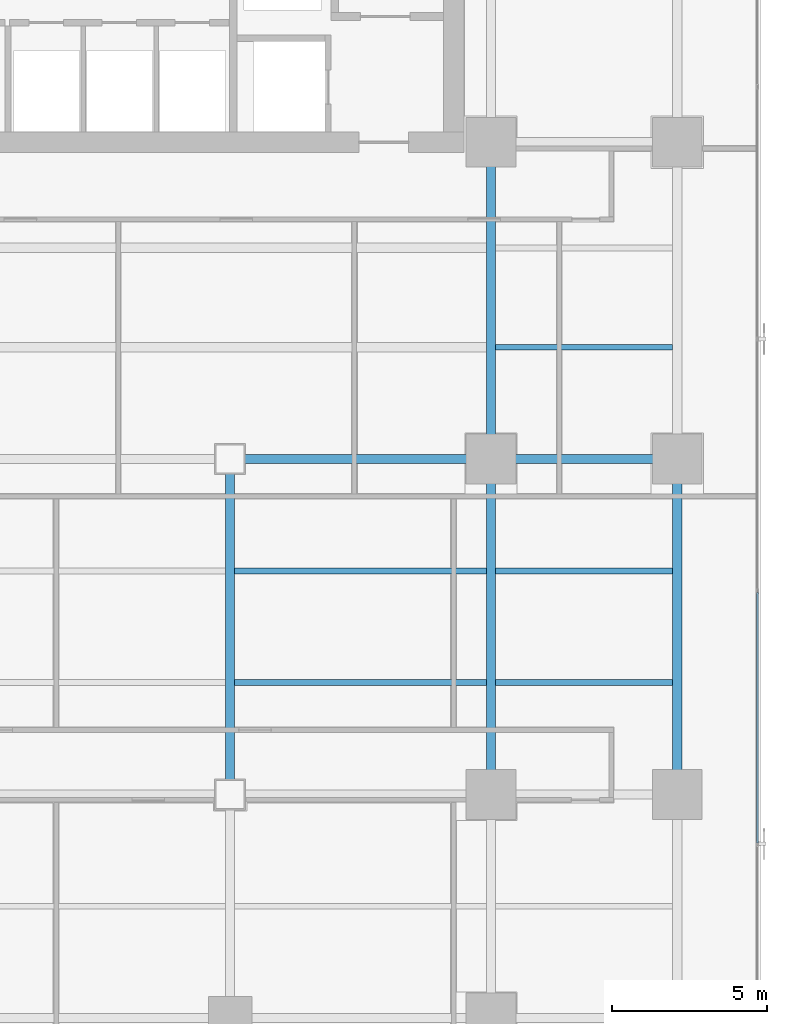
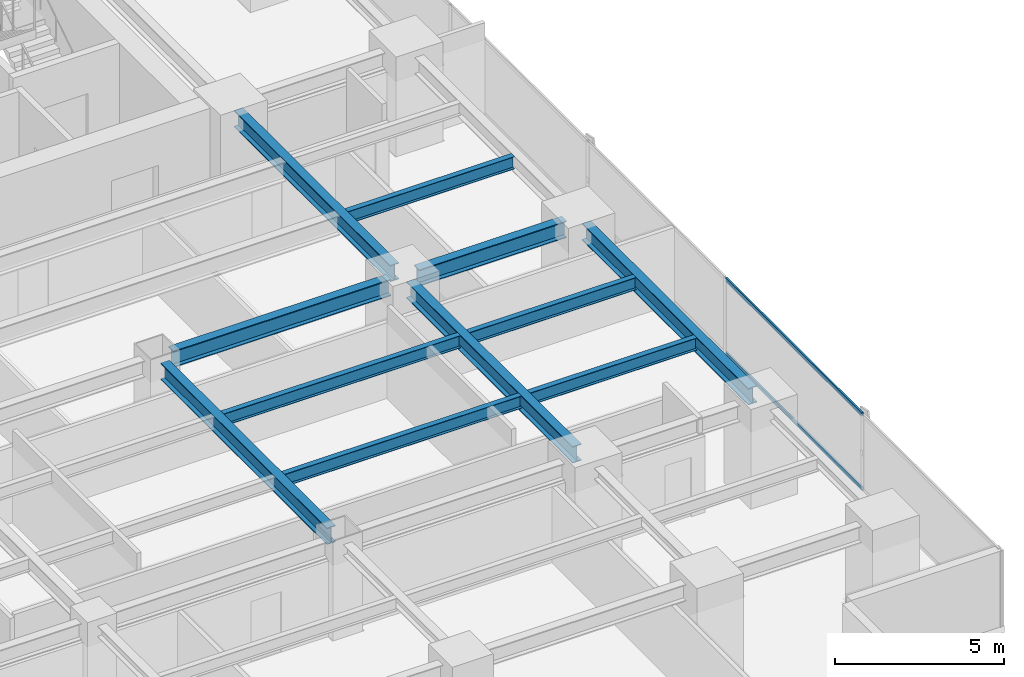
# One storey, part 15 of 36: 11 beams, 2 members, 1 element without a shape of its own.
"""IFC4 building model written with IfcOpenShell, lengths in metres."""

import ifcopenshell
import ifcopenshell.guid

model = None  # the IFC model being written
_history = None  # IfcOwnerHistory: only IFC2X3 demands one
_inside = {}  # id of a spatial element -> (the spatial element, [elements in it])
_under = {}  # id of a project, library or spatial element -> (it, [spatial elements below it])
_declared = {}  # id of a project -> (the project, [libraries it declares])
_typed = {}  # id of a type object -> (the type object, [elements of that type])
_made_of = {}  # id of a material, layer set ... -> (it, [elements and type objects made of it])


def new_model(schema):
    """Start an empty IFC model of exactly this schema.

    Asked for "IFC4X3", IfcOpenShell would pick the latest addendum, in which some entities
    have other attributes; the version numbers below select the first issue.
    IFC2X3 requires an IfcOwnerHistory on every rooted entity: one is made here for all.
    """
    global model, _history
    if schema == "IFC4X3":
        model = ifcopenshell.file(schema_version=(4, 3, 0, 0))
    else:
        model = ifcopenshell.file(schema=schema)
    _inside.clear()
    _under.clear()
    _declared.clear()
    _typed.clear()
    _made_of.clear()
    _history = None
    if model.schema == "IFC2X3":
        org = make("IfcOrganization", Name="unknown")
        user = make(
            "IfcPersonAndOrganization",
            ThePerson=make("IfcPerson", FamilyName="unknown"),
            TheOrganization=org,
        )
        app = make(
            "IfcApplication",
            ApplicationDeveloper=org,
            Version="unknown",
            ApplicationFullName="unknown",
            ApplicationIdentifier="unknown",
        )
        _history = make(
            "IfcOwnerHistory",
            OwningUser=user,
            OwningApplication=app,
            ChangeAction="ADDED",
            CreationDate=0,
        )
    return model


def make(cls, **values):
    """One entity of the class cls with the attributes given. An attribute that is None is left unset."""
    return model.create_entity(
        cls, **{name: value for name, value in values.items() if value is not None}
    )


def rooted(cls, **values):
    """An entity with a GlobalId (a new one), such as an element, a storey or a relation."""
    return make(cls, GlobalId=ifcopenshell.guid.new(), OwnerHistory=_history, **values)


def si_unit(unit_type, name, prefix=None):
    """IfcSIUnit, for example si_unit("LENGTHUNIT", "METRE", prefix="MILLI")."""
    return make("IfcSIUnit", UnitType=unit_type, Prefix=prefix, Name=name)


def assignment(units):
    """IfcUnitAssignment: the units of a project."""
    return None if units is None else make("IfcUnitAssignment", Units=units)


def point(xyz):
    """IfcCartesianPoint."""
    return None if xyz is None else make("IfcCartesianPoint", Coordinates=xyz)


def direction(xyz):
    """IfcDirection."""
    return None if xyz is None else make("IfcDirection", DirectionRatios=xyz)


def frame(location, z_axis=None, x_axis=None):
    """IfcAxis2Placement3D, a coordinate frame: its origin and axes. An axis left out is left unset."""
    return make(
        "IfcAxis2Placement3D",
        Location=point(location),
        Axis=direction(z_axis),
        RefDirection=direction(x_axis),
    )


def frame_2d(location, x_axis=None):
    """IfcAxis2Placement2D, a coordinate frame in the plane: its origin and x axis."""
    return make(
        "IfcAxis2Placement2D", Location=point(location), RefDirection=direction(x_axis)
    )


def origin():
    """The frame at (0, 0, 0) with its axes left unset."""
    return frame((0.0, 0.0, 0.0))


def origin_2d():
    """The frame at (0, 0) in the plane with its x axis left unset."""
    return frame_2d((0.0, 0.0))


def place(relative_to, where):
    """IfcLocalPlacement: puts the frame where relative to a parent placement (None: the world)."""
    return make(
        "IfcLocalPlacement", PlacementRelTo=relative_to, RelativePlacement=where
    )


def context(
    kind, dimensions, precision=None, world=None, true_north=None, identifier=None
):
    """IfcGeometricRepresentationContext, for example the 3D "Model" context."""
    return make(
        "IfcGeometricRepresentationContext",
        ContextIdentifier=identifier,
        ContextType=kind,
        CoordinateSpaceDimension=dimensions,
        Precision=precision,
        WorldCoordinateSystem=world,
        TrueNorth=true_north,
    )


def subcontext(parent, identifier, kind, view, scale=None):
    """IfcGeometricRepresentationSubContext, for example "Body" below "Model"."""
    return make(
        "IfcGeometricRepresentationSubContext",
        ContextIdentifier=identifier,
        ContextType=kind,
        ParentContext=parent,
        TargetScale=scale,
        TargetView=view,
    )


def project(units=None, contexts=None):
    """IfcProject with its units and contexts."""
    return rooted(
        "IfcProject",
        Name="project",
        RepresentationContexts=contexts,
        UnitsInContext=assignment(units),
    )


def spatial(cls, under=None, at=None, **own):
    """A site, building, storey or space (cls), placed at a placement, below another one or the project."""
    s = rooted(cls, ObjectPlacement=at, **own)
    if under is not None:
        _under.setdefault(under.id(), (under, []))[1].append(s)
    return s


def profile(cls, at=None, kind="AREA", **sizes):
    """A parametric profile (cls). Its sizes go by their IFC names, for example OverallWidth=200.0."""
    return make(cls, ProfileType=kind, Position=at, **sizes)


def hollow_rectangle(**sizes):
    """IfcRectangleHollowProfileDef."""
    return profile("IfcRectangleHollowProfileDef", **sizes)


def i_section(**sizes):
    """IfcIShapeProfileDef."""
    return profile("IfcIShapeProfileDef", **sizes)


def extrude(swept, where, along, depth):
    """IfcExtrudedAreaSolid: the profile swept, set in the frame where, extruded along a direction by depth."""
    return make(
        "IfcExtrudedAreaSolid",
        SweptArea=swept,
        Position=where,
        ExtrudedDirection=direction(along),
        Depth=depth,
    )


def shape(context_of_items, identifier, shape_type, items):
    """IfcShapeRepresentation: the items that make up one representation, for example the "Body"."""
    return make(
        "IfcShapeRepresentation",
        ContextOfItems=context_of_items,
        RepresentationIdentifier=identifier,
        RepresentationType=shape_type,
        Items=items,
    )


def source(mapping_origin, context_of_items, identifier, shape_type, items):
    """IfcRepresentationMap: a shape defined once, which mapped items show again and again."""
    return make(
        "IfcRepresentationMap",
        MappingOrigin=mapping_origin,
        MappedRepresentation=shape(context_of_items, identifier, shape_type, items),
    )


def transform(
    local_origin,
    x_axis=None,
    y_axis=None,
    z_axis=None,
    scale=None,
    scale2=None,
    scale3=None,
    uniform=True,
):
    """IfcCartesianTransformationOperator3D, or its non-uniform kind. x_axis, y_axis, z_axis: its Axis1, 2, 3."""
    if uniform:
        return make(
            "IfcCartesianTransformationOperator3D",
            Axis1=direction(x_axis),
            Axis2=direction(y_axis),
            LocalOrigin=point(local_origin),
            Scale=scale,
            Axis3=direction(z_axis),
        )
    return make(
        "IfcCartesianTransformationOperator3DnonUniform",
        Axis1=direction(x_axis),
        Axis2=direction(y_axis),
        LocalOrigin=point(local_origin),
        Scale=scale,
        Axis3=direction(z_axis),
        Scale2=scale2,
        Scale3=scale3,
    )


def mapped(mapping_source, mapping_target):
    """IfcMappedItem: shows the shape of a source again, moved by a transform."""
    return make(
        "IfcMappedItem", MappingSource=mapping_source, MappingTarget=mapping_target
    )


def material(Name=None, Category=None):
    """IfcMaterial."""
    return make("IfcMaterial", Name=Name, Category=Category)


def layer(
    of_material, thickness, ventilated=None, Name=None, Category=None, Priority=None
):
    """IfcMaterialLayer: one layer of a wall or slab, of a material (None: an air gap)."""
    return make(
        "IfcMaterialLayer",
        Material=of_material,
        LayerThickness=thickness,
        IsVentilated=ventilated,
        Name=Name,
        Category=Category,
        Priority=Priority,
    )


def layer_set(layers, Name=None):
    """IfcMaterialLayerSet."""
    return make("IfcMaterialLayerSet", MaterialLayers=layers, LayerSetName=Name)


def material_profile(
    of_material, cross_section, Name=None, Category=None, Priority=None
):
    """IfcMaterialProfile: a cross section and its material."""
    return make(
        "IfcMaterialProfile",
        Name=Name,
        Material=of_material,
        Profile=cross_section,
        Priority=Priority,
        Category=Category,
    )


def profile_set(profiles, Name=None, composite=None):
    """IfcMaterialProfileSet."""
    return make(
        "IfcMaterialProfileSet",
        Name=Name,
        MaterialProfiles=profiles,
        CompositeProfile=composite,
    )


def made_of(thing, what):
    """Note that an element or type object is made of a material, layer set ...; save() writes the relation."""
    if what is not None:
        _made_of.setdefault(what.id(), (what, []))[1].append(thing)
    return thing


def type_object(cls, material=None, **own):
    """A type object (cls), such as IfcWallType, which elements share."""
    return made_of(rooted(cls, **own), material)


def element(
    cls,
    number,
    at=None,
    inside=None,
    cuts=None,
    type_object=None,
    material=None,
    context=None,
    identifier="Body",
    shape_type=None,
    held_by="IfcProductDefinitionShape",
    body=None,
    shapes=None,
    **own,
):
    """One element of the class cls, such as IfcWall. Its Tag is "e" and its number.

    at: its placement. inside: the storey or other place that contains it. cuts: it is an
    opening in that element (IfcRelVoidsElement). A single representation is given by context,
    identifier, shape_type and body (its items); several are given by shapes. held_by: the class
    of the entity that holds the representations. save() writes the other relations.
    """
    e = rooted(cls, Tag="e%d" % number, ObjectPlacement=at, **own)
    if body is not None:
        shapes = [shape(context, identifier, shape_type, body)]
    if shapes is not None:
        e.Representation = make(held_by, Representations=shapes)
    if inside is not None:
        _inside.setdefault(inside.id(), (inside, []))[1].append(e)
    if cuts is not None:
        rooted(
            "IfcRelVoidsElement", RelatingBuildingElement=cuts, RelatedOpeningElement=e
        )
    if type_object is not None:
        _typed.setdefault(type_object.id(), (type_object, []))[1].append(e)
    return made_of(e, material)


def aggregate(whole, parts):
    """IfcRelAggregates: a whole, such as a stair, and the parts it consists of."""
    return rooted("IfcRelAggregates", RelatingObject=whole, RelatedObjects=parts)


def save(model, path):
    """Write the relations noted so far, then the file.

    IfcRelAggregates (storeys below a building ...), IfcRelContainedInSpatialStructure (elements
    in a storey), IfcRelDefinesByType, IfcRelAssociatesMaterial and IfcRelDeclares: one each for
    every whole, place, type object, material and project.
    """
    for whole, parts in _under.values():
        aggregate(whole, parts)
    for where, things in _inside.values():
        rooted(
            "IfcRelContainedInSpatialStructure",
            RelatedElements=things,
            RelatingStructure=where,
        )
    for kind, things in _typed.values():
        rooted("IfcRelDefinesByType", RelatedObjects=things, RelatingType=kind)
    for what, things in _made_of.values():
        rooted("IfcRelAssociatesMaterial", RelatedObjects=things, RelatingMaterial=what)
    for by, libraries in _declared.values():
        rooted("IfcRelDeclares", RelatingContext=by, RelatedDefinitions=libraries)
    model.write(path)


model = new_model("IFC4")

# Units and contexts
model_context = context("Model", 3, precision=1e-05, world=origin(), true_north=direction((0.0, 1.0)))
body_context = subcontext(model_context, "Body", "Model", "MODEL_VIEW")
ifc_project = project(units=[si_unit("LENGTHUNIT", "METRE"), si_unit("AREAUNIT", "SQUARE_METRE"), si_unit("VOLUMEUNIT", "CUBIC_METRE"), si_unit("PLANEANGLEUNIT", "RADIAN"), si_unit("MASSUNIT", "GRAM", prefix="KILO")], contexts=[model_context])

# Site, building, storey
site_placement = place(None, origin())
site = spatial("IfcSite", under=ifc_project, at=site_placement, CompositionType="ELEMENT")
building_placement = place(site_placement, origin())
building = spatial("IfcBuilding", under=site, at=building_placement, Name="Sumidabori Civic Tower", CompositionType="ELEMENT")
storey_placement = place(building_placement, frame((0.0, 0.0, 92.0)))
storey = spatial("IfcBuildingStorey", under=building, at=storey_placement, Name="L23", CompositionType="ELEMENT", Elevation=92.0)

# Beams
ifc_material_1 = material(Name="Steel SN490", Category="steel")
ifc_material_profile_1 = material_profile(ifc_material_1, i_section(OverallWidth=0.300048828125, OverallDepth=0.60009765625, WebThickness=0.015380859375, FlangeThickness=0.030029296875, at=origin_2d()), Name="HE 600 B")
ifc_profile_set_1 = profile_set([ifc_material_profile_1], Name="Steel SN490")
beam_type_1 = type_object("IfcBeamType", Name="BM-GIRD-600", PredefinedType="BEAM", material=ifc_profile_set_1)
shared_shape_1 = source(origin(), body_context, "Body", "SweptSolid", [
    extrude(i_section(OverallWidth=0.300048828125, OverallDepth=0.60009765625, WebThickness=0.015380859375, FlangeThickness=0.030029296875, at=origin_2d()), origin(), (0.0, 0.0, 1.0), 5.0400390625),
])
beam_1_placement = place(storey_placement, frame((17.280029296875, 0.0, 3.06005859375), z_axis=(1.0, 0.0, 0.0), x_axis=(0.0, 1.0, 0.0)))
element("IfcBeam", 1, at=beam_1_placement, inside=storey, type_object=beam_type_1, Name="Primary Girder L23 GX-18", PredefinedType="BEAM", context=body_context, shape_type="MappedRepresentation", body=[
    mapped(shared_shape_1, transform((0.0, 0.0, 0.0), x_axis=(1.0, 0.0, 0.0), y_axis=(0.0, 1.0, 0.0), z_axis=(0.0, 0.0, 1.0), scale=1.0)),
])
shared_shape_2 = source(origin(), body_context, "Body", "SweptSolid", [
    extrude(i_section(OverallWidth=0.300048828125, OverallDepth=0.60009765625, WebThickness=0.015380859375, FlangeThickness=0.030029296875, at=origin_2d()), origin(), (0.0, 0.0, 1.0), 7.440185546875),
])
beam_2_placement = place(storey_placement, frame((8.8798828125, 0.0, 3.06005859375), z_axis=(1.0, 0.0, 0.0), x_axis=(0.0, 1.0, 0.0)))
element("IfcBeam", 2, at=beam_2_placement, inside=storey, type_object=beam_type_1, Name="Primary Girder L23 GX-17", PredefinedType="BEAM", context=body_context, shape_type="MappedRepresentation", body=[
    mapped(shared_shape_2, transform((0.0, 0.0, 0.0), x_axis=(1.0, 0.0, 0.0), y_axis=(0.0, 1.0, 0.0), z_axis=(0.0, 0.0, 1.0), scale=1.0)),
])
shared_shape_3 = source(origin(), body_context, "Body", "SweptSolid", [
    extrude(i_section(OverallWidth=0.300048828125, OverallDepth=0.60009765625, WebThickness=0.015380859375, FlangeThickness=0.030029296875, at=origin_2d()), origin(), (0.0, 0.0, 1.0), 9.840087890625),
])
for number, where, z_axis, x_axis, name in (
    (3, (8.39990234375, -10.320068359375, 3.06005859375), (0.0, 1.0, 0.0), (-1.0, 0.0, 0.0), "Primary Girder L23 GY-34"),
    (4, (16.800048828125, -10.320068359375, 3.06005859375), (0.0, 1.0, 0.0), (-1.0, 0.0, 0.0), "Primary Girder L23 GY-36"),
    (5, (22.800048828125, -10.320068359375, 3.06005859375), (0.0, 1.0, 0.0), (-1.0, 0.0, 0.0), "Primary Girder L23 GY-40"),
):
    element("IfcBeam", number, at=place(storey_placement, frame(where, z_axis=z_axis, x_axis=x_axis)), inside=storey, type_object=beam_type_1, Name=name, PredefinedType="BEAM", context=body_context, shape_type="MappedRepresentation", body=[
        mapped(shared_shape_3, transform((0.0, 0.0, 0.0), x_axis=(1.0, 0.0, 0.0), y_axis=(0.0, 1.0, 0.0), z_axis=(0.0, 0.0, 1.0), scale=1.0)),
    ])
shared_shape_4 = source(origin(), body_context, "Body", "SweptSolid", [
    extrude(i_section(OverallWidth=0.300048828125, OverallDepth=0.60009765625, WebThickness=0.015380859375, FlangeThickness=0.030029296875, at=origin_2d()), origin(), (0.0, 0.0, 1.0), 9.239990234375),
])
beam_3_placement = place(storey_placement, frame((16.800048828125, 0.47998046875, 3.06005859375), z_axis=(0.0, 1.0, 0.0), x_axis=(-1.0, 0.0, 0.0)))
element("IfcBeam", 6, at=beam_3_placement, inside=storey, type_object=beam_type_1, Name="Primary Girder L23 GY-37", PredefinedType="BEAM", context=body_context, shape_type="MappedRepresentation", body=[
    mapped(shared_shape_4, transform((0.0, 0.0, 0.0), x_axis=(1.0, 0.0, 0.0), y_axis=(0.0, 1.0, 0.0), z_axis=(0.0, 0.0, 1.0), scale=1.0)),
])
ifc_material_profile_2 = material_profile(ifc_material_1, i_section(OverallWidth=0.18994140625, OverallDepth=0.449951171875, WebThickness=0.009521484375, FlangeThickness=0.0146484375, at=origin_2d()), Name="IPE 450")
ifc_profile_set_2 = profile_set([ifc_material_profile_2], Name="Steel SN490")
beam_type_2 = type_object("IfcBeamType", Name="BM-JST-450", PredefinedType="JOIST", material=ifc_profile_set_2)
shared_shape_5 = source(origin(), body_context, "Body", "SweptSolid", [
    extrude(i_section(OverallWidth=0.18994140625, OverallDepth=0.449951171875, WebThickness=0.009521484375, FlangeThickness=0.0146484375, at=origin_2d()), origin(), (0.0, 0.0, 1.0), 5.699951171875),
])
for number, where, z_axis, x_axis, name in (
    (7, (16.949951171875, -7.199951171875, 3.135009765625), (1.0, 0.0, 0.0), (0.0, 1.0, 0.0), "Outer Bay Floor Joist L23 JSTO-44"),
    (8, (16.949951171875, -3.60009765625, 3.135009765625), (1.0, 0.0, 0.0), (0.0, 1.0, 0.0), "Outer Bay Floor Joist L23 JSTO-46"),
    (9, (16.949951171875, 3.60009765625, 3.135009765625), (1.0, 0.0, 0.0), (0.0, 1.0, 0.0), "Outer Bay Floor Joist L23 JSTO-48"),
):
    element("IfcBeam", number, at=place(storey_placement, frame(where, z_axis=z_axis, x_axis=x_axis)), inside=storey, type_object=beam_type_2, Name=name, PredefinedType="JOIST", context=body_context, shape_type="MappedRepresentation", body=[
        mapped(shared_shape_5, transform((0.0, 0.0, 0.0), x_axis=(1.0, 0.0, 0.0), y_axis=(0.0, 1.0, 0.0), z_axis=(0.0, 0.0, 1.0), scale=1.0)),
    ])
shared_shape_6 = source(origin(), body_context, "Body", "SweptSolid", [
    extrude(i_section(OverallWidth=0.18994140625, OverallDepth=0.449951171875, WebThickness=0.009521484375, FlangeThickness=0.0146484375, at=origin_2d()), origin(), (0.0, 0.0, 1.0), 8.099853515625),
])
for number, where, z_axis, x_axis, name in (
    (10, (8.550048828125, -7.199951171875, 3.135009765625), (1.0, 0.0, 0.0), (0.0, 1.0, 0.0), "South Bay Floor Joist L23 JSTS-62"),
    (11, (8.550048828125, -3.60009765625, 3.135009765625), (1.0, 0.0, 0.0), (0.0, 1.0, 0.0), "South Bay Floor Joist L23 JSTS-66"),
):
    element("IfcBeam", number, at=place(storey_placement, frame(where, z_axis=z_axis, x_axis=x_axis)), inside=storey, type_object=beam_type_2, Name=name, PredefinedType="JOIST", context=body_context, shape_type="MappedRepresentation", body=[
        mapped(shared_shape_6, transform((0.0, 0.0, 0.0), x_axis=(1.0, 0.0, 0.0), y_axis=(0.0, 1.0, 0.0), z_axis=(0.0, 0.0, 1.0), scale=1.0)),
    ])

# Curtain wall, members
ifc_material_2 = material(Name="Anodised Bronze Aluminium AW-6063-T6", Category="aluminium")
ifc_layer = layer(ifc_material_2, 0.179931640625, Name="Anodised Bronze Aluminium AW-6063-T6")
ifc_layer_set = layer_set([ifc_layer], Name="Anodised Bronze Aluminium AW-6063-T6")
curtain_wall_type = type_object("IfcCurtainWallType", Name="CW-SYS-3", PredefinedType="NOTDEFINED", material=ifc_layer_set)
curtain_wall_placement = place(storey_placement, origin())
curtain_wall = element("IfcCurtainWall", 12, at=curtain_wall_placement, inside=storey, type_object=curtain_wall_type, Name="Curtain Wall CW:L23:R04", PredefinedType="NOTDEFINED")
ifc_material_profile_3 = material_profile(ifc_material_2, hollow_rectangle(XDim=0.06005859375, YDim=0.1298828125, WallThickness=0.0048828125, at=origin_2d()), Name="ALU TRANSOM 130x60")
ifc_profile_set_3 = profile_set([ifc_material_profile_3], Name="Anodised Bronze Aluminium AW-6063-T6")
member_type = type_object("IfcMemberType", Name="CW-TRN-130", PredefinedType="USERDEFINED", material=ifc_profile_set_3)
shared_shape_7 = source(origin(), body_context, "Body", "SweptSolid", [
    extrude(hollow_rectangle(XDim=0.06005859375, YDim=0.1298828125, WallThickness=0.0048828125, at=origin_2d()), origin(), (0.0, 0.0, 1.0), 8.063232421875),
])
member_1_placement = place(storey_placement, frame((25.3798828125, -12.359619140625, 0.030029296875), z_axis=(0.0, 1.0, 0.0), x_axis=(-1.0, 0.0, 0.0)))
member_1 = element("IfcMember", 13, at=member_1_placement, type_object=member_type, Name="CW-3 transom 2.1", ObjectType="TRANSOM", PredefinedType="USERDEFINED", context=body_context, shape_type="MappedRepresentation", body=[
    mapped(shared_shape_7, transform((0.0, 0.0, 0.0), x_axis=(1.0, 0.0, 0.0), y_axis=(0.0, 1.0, 0.0), z_axis=(0.0, 0.0, 1.0), scale=1.0)),
])
member_2_placement = place(storey_placement, frame((25.3798828125, -12.359619140625, 2.7099609375), z_axis=(0.0, 1.0, 0.0), x_axis=(-1.0, 0.0, 0.0)))
member_2 = element("IfcMember", 14, at=member_2_placement, type_object=member_type, Name="CW-3 transom 2.2", ObjectType="TRANSOM", PredefinedType="USERDEFINED", context=body_context, shape_type="MappedRepresentation", body=[
    mapped(shared_shape_7, transform((0.0, 0.0, 0.0), x_axis=(1.0, 0.0, 0.0), y_axis=(0.0, 1.0, 0.0), z_axis=(0.0, 0.0, 1.0), scale=1.0)),
])
aggregate(curtain_wall, [member_1, member_2])

save(model, "model.ifc")
